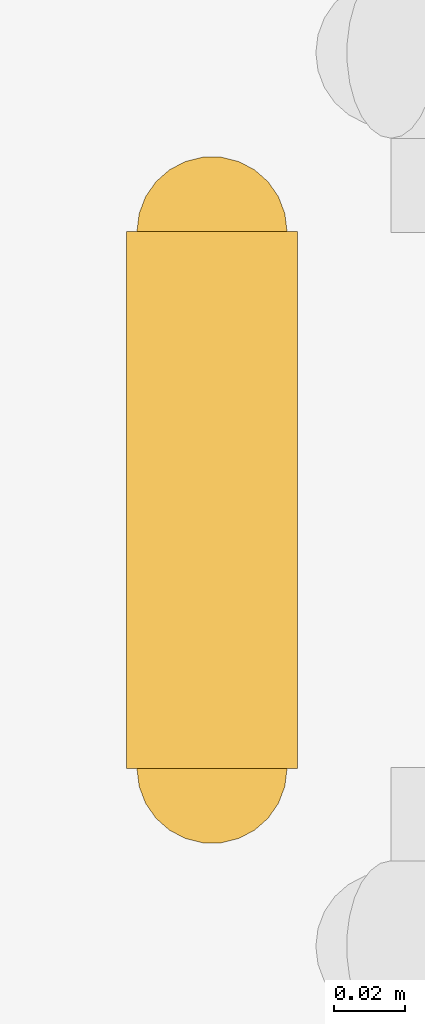
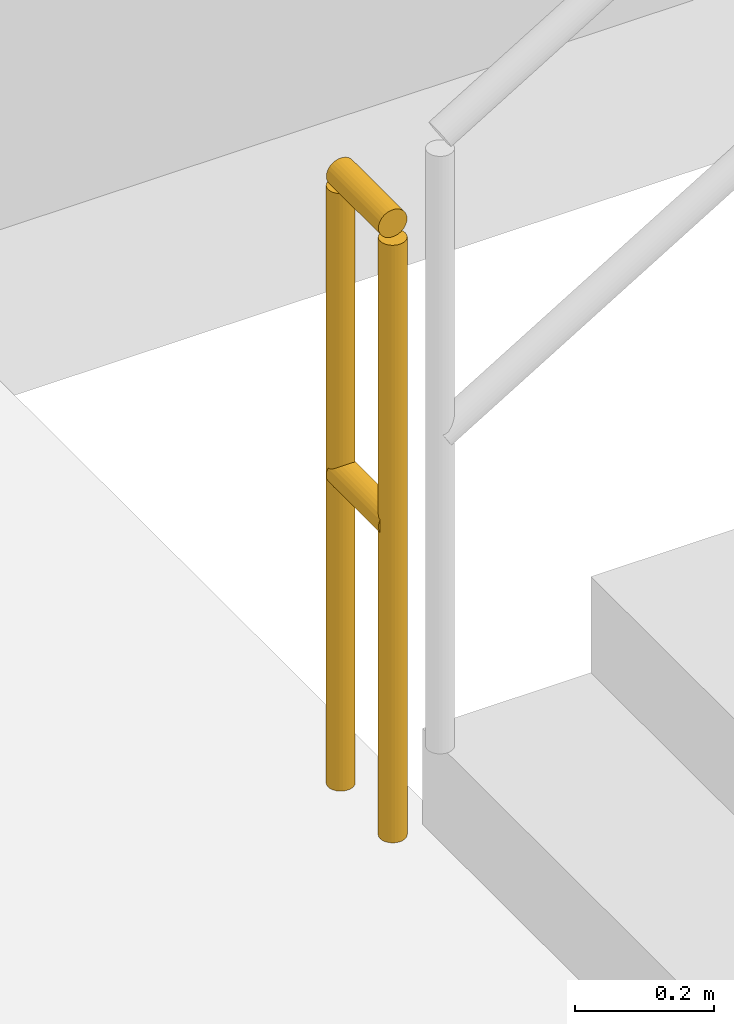
# One storey, part 20 of 22: 1 railing.
"""IFC4 building model written with IfcOpenShell, lengths in metres."""

from ifc_helpers import new_model, si_unit, direction, frame, origin, origin_2d, place, context, subcontext, project, spatial, circle, extrude, material, type_object, element, save


model = new_model("IFC4")

# Units and contexts
model_context = context("Model", 3, precision=1e-05, world=origin(), true_north=direction((0.0, 1.0)))
body_context = subcontext(model_context, "Body", "Model", "MODEL_VIEW")
ifc_project = project(units=[si_unit("LENGTHUNIT", "METRE"), si_unit("AREAUNIT", "SQUARE_METRE"), si_unit("VOLUMEUNIT", "CUBIC_METRE"), si_unit("PLANEANGLEUNIT", "RADIAN"), si_unit("MASSUNIT", "GRAM", prefix="KILO")], contexts=[model_context])

# Site, building, storey
site_placement = place(None, origin())
site = spatial("IfcSite", under=ifc_project, at=site_placement, CompositionType="ELEMENT")
building_placement = place(site_placement, origin())
building = spatial("IfcBuilding", under=site, at=building_placement, Name="Veraguas Prism Commons", CompositionType="ELEMENT")
storey_placement = place(building_placement, frame((0.0, 0.0, 5.199951171875)))
storey = spatial("IfcBuildingStorey", under=building, at=storey_placement, Name="L01", CompositionType="ELEMENT", Elevation=5.199951171875)

# Railing
ifc_material = material(Name="Stainless steel AISI 316", Category="steel")
railing_type = type_object("IfcRailingType", Name="Stairwell Safety Guardrail 1100", PredefinedType="GUARDRAIL", material=ifc_material)
railing_placement = place(storey_placement, frame((64.199951171875, 6.64990234375, 0.0)))
element("IfcRailing", 1, at=railing_placement, inside=storey, type_object=railing_type, Name="Stair Guard ST-H1 L01-4", PredefinedType="GUARDRAIL", context=body_context, shape_type="SweptSolid", body=[
    extrude(circle(Radius=0.02392578125, at=origin_2d()), frame((0.0, 0.0, 1.076171875), z_axis=(0.0, 1.0, 0.0), x_axis=(-1.0, 0.0, 0.0)), (0.0, 0.0, 1.0), 0.150146484375),
    extrude(circle(Radius=0.02392578125, at=origin_2d()), frame((0.0, 0.0, 0.550048828125), z_axis=(0.0, 1.0, 0.0), x_axis=(-1.0, 0.0, 0.0)), (0.0, 0.0, 1.0), 0.150146484375),
    extrude(circle(Radius=0.02099609375, at=origin_2d()), origin(), (0.0, 0.0, 1.0), 1.052001953125),
    extrude(circle(Radius=0.02099609375, at=origin_2d()), frame((0.0, 0.150146484375, 0.0)), (0.0, 0.0, 1.0), 1.052001953125),
])

save(model, "model.ifc")
